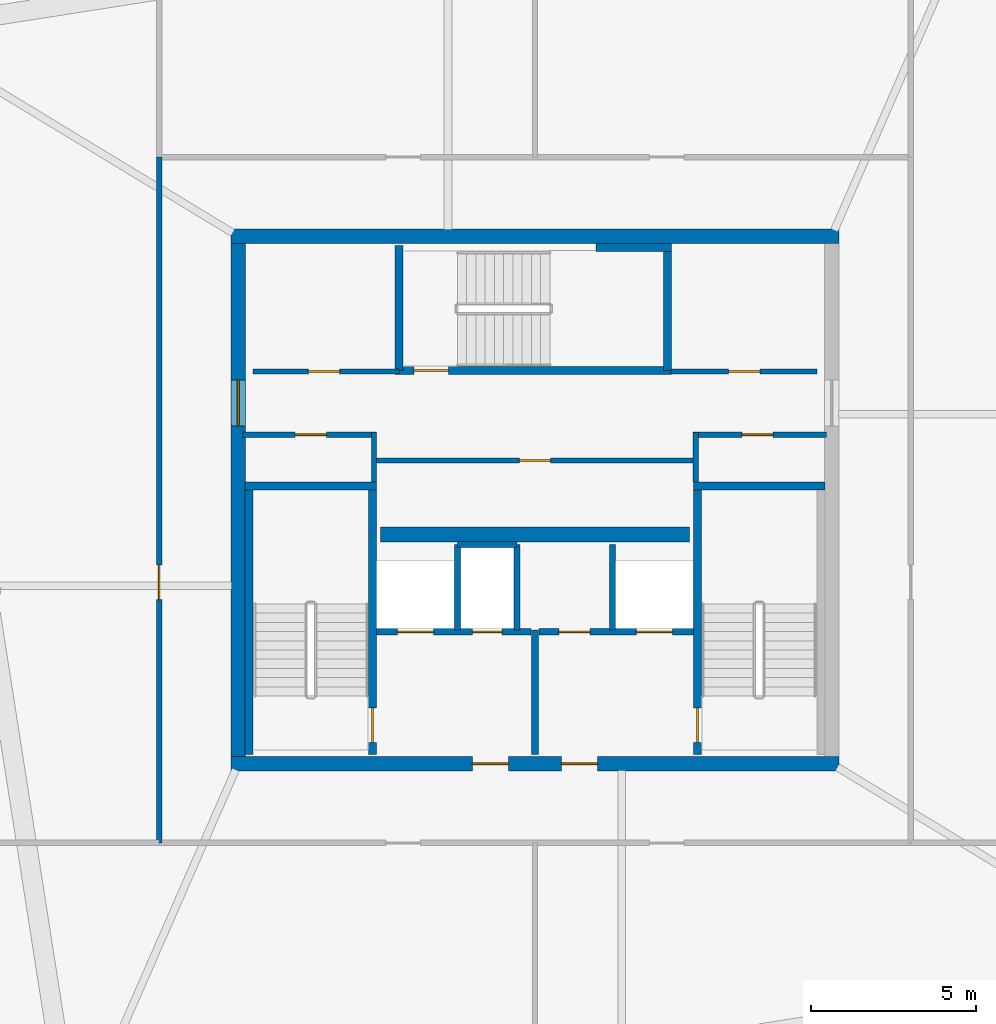
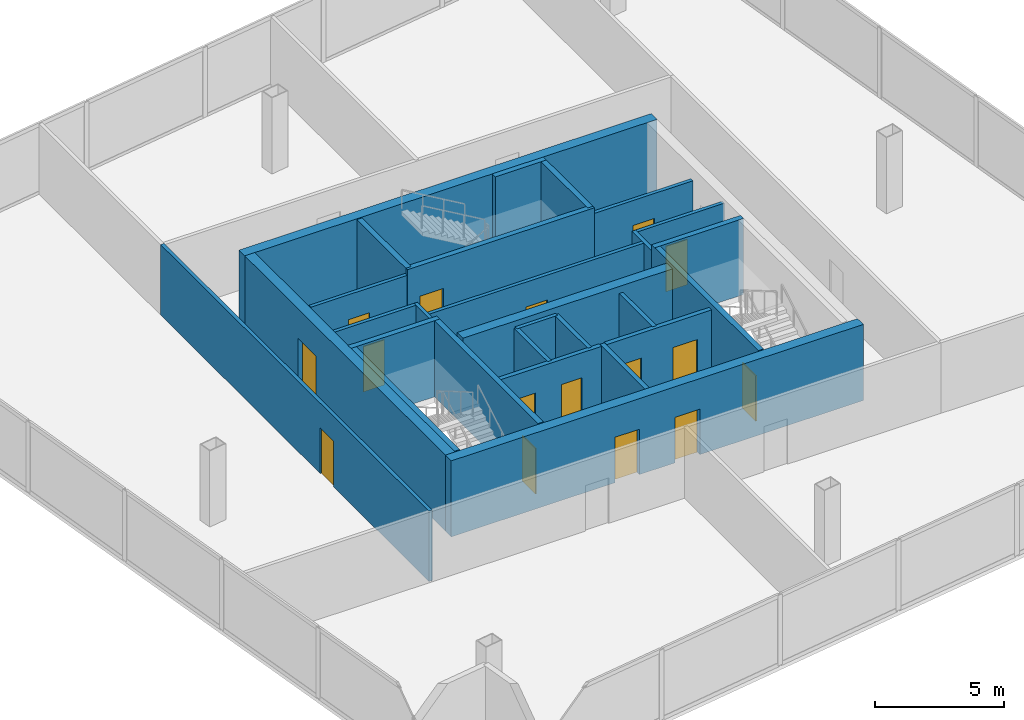
# One storey, part 15 of 17: 28 walls, 16 doors, 16 openings.
"""IFC4 building model written with IfcOpenShell, lengths in metres."""

from ifc_helpers import new_model, si_unit, direction, frame, frame_2d, origin, place, context, subcontext, project, spatial, rectangle, extrude, material, layer, layer_set, type_object, element, fill, save


model = new_model("IFC4")

# Units and contexts
model_context = context("Model", 3, precision=1e-05, world=origin(), true_north=direction((0.0, 1.0)))
body_context = subcontext(model_context, "Body", "Model", "MODEL_VIEW")
ifc_project = project(units=[si_unit("LENGTHUNIT", "METRE"), si_unit("AREAUNIT", "SQUARE_METRE"), si_unit("VOLUMEUNIT", "CUBIC_METRE"), si_unit("PLANEANGLEUNIT", "RADIAN"), si_unit("MASSUNIT", "GRAM", prefix="KILO")], contexts=[model_context])

# Site, building, storey
site_placement = place(None, origin())
site = spatial("IfcSite", under=ifc_project, at=site_placement, CompositionType="ELEMENT")
building_placement = place(site_placement, origin())
building = spatial("IfcBuilding", under=site, at=building_placement, Name="Haldenkirk Collegiate Tower", CompositionType="ELEMENT")
storey_placement = place(building_placement, frame((0.0, 0.0, 367.800048828125)))
storey = spatial("IfcBuildingStorey", under=building, at=storey_placement, Name="L93", CompositionType="ELEMENT", Elevation=367.800048828125)

# Wall, openings, doors
ifc_material_1 = material(Name="Concrete f'c 55 MPa", Category="concrete")
ifc_layer_1 = layer(ifc_material_1, 0.449951171875)
ifc_layer_set_1 = layer_set([ifc_layer_1], Name="Concrete f'c 55 MPa")
wall_type_1 = type_object("IfcWallType", Name="WL-CORE-450", PredefinedType="SHEAR", material=ifc_layer_set_1)
wall_1_placement = place(storey_placement, frame((26.77490234375, 18.0, 0.0), z_axis=(0.0, 0.0, 1.0), x_axis=(1.0, 0.0, 0.0)))
wall_1 = element("IfcWall", 1, at=wall_1_placement, inside=storey, type_object=wall_type_1, Name="L93 central core shear wall S", PredefinedType="SHEAR", context=body_context, shape_type="SweptSolid", body=[
    extrude(rectangle(XDim=18.4501953125, YDim=0.449951171875, at=frame_2d((9.22509765625, 0.0))), origin(), (0.0, 0.0, 1.0), 3.599853515625),
])
opening_1_placement = place(wall_1_placement, frame((7.324951171875, 0.0, 0.0)))
opening_1 = element("IfcOpeningElement", 2, at=opening_1_placement, cuts=wall_1, Name="Opening D-02", PredefinedType="OPENING", context=body_context, shape_type="SweptSolid", body=[
    extrude(rectangle(XDim=1.10009765625, YDim=2.14990234375, at=frame_2d((0.550048828125, 1.074951171875))), frame((0.0, 0.23486328125, 0.0), z_axis=(0.0, -1.0, 0.0), x_axis=(1.0, 0.0, 0.0)), (0.0, 0.0, 1.0), 0.469970703125),
])
opening_2_placement = place(wall_1_placement, frame((10.02490234375, 0.0, 0.0)))
opening_2 = element("IfcOpeningElement", 3, at=opening_2_placement, cuts=wall_1, Name="Opening D-02", PredefinedType="OPENING", context=body_context, shape_type="SweptSolid", body=[
    extrude(rectangle(XDim=1.10009765625, YDim=2.14990234375, at=frame_2d((0.550048828125, 1.074951171875))), frame((0.0, 0.23486328125, 0.0), z_axis=(0.0, -1.0, 0.0), x_axis=(1.0, 0.0, 0.0)), (0.0, 0.0, 1.0), 0.469970703125),
])
ifc_material_2 = material(Name="Galvanized fire-rated hollow steel door", Category="steel")
ifc_layer_2 = layer(ifc_material_2, 0.06005859375)
ifc_layer_set_2 = layer_set([ifc_layer_2], Name="Galvanized fire-rated hollow steel door")
door_type_1 = type_object("IfcDoorType", Name="DR-STAIR-FD90-1100", OperationType="NOTDEFINED", PredefinedType="DOOR", material=ifc_layer_set_2)
door_1_placement = place(opening_1_placement, origin())
door_1 = element("IfcDoor", 4, at=door_1_placement, inside=storey, type_object=door_type_1, Name="L93 Firefighting Lobby 1 door", OperationType="SINGLE_SWING_LEFT", OverallHeight=2.14990234375, OverallWidth=1.10009765625, PredefinedType="DOOR", context=body_context, shape_type="SweptSolid", body=[
    extrude(rectangle(XDim=1.10009765625, YDim=2.14990234375, at=frame_2d((0.550048828125, 1.074951171875))), frame((0.0, 0.02490234375, 0.0), z_axis=(0.0, -1.0, 0.0), x_axis=(1.0, 0.0, 0.0)), (0.0, 0.0, 1.0), 0.050048828125),
])
fill(opening_1, door_1)
door_2_placement = place(opening_2_placement, origin())
door_2 = element("IfcDoor", 5, at=door_2_placement, inside=storey, type_object=door_type_1, Name="L93 Firefighting Lobby 2 door", OperationType="SINGLE_SWING_RIGHT", OverallHeight=2.14990234375, OverallWidth=1.10009765625, PredefinedType="DOOR", context=body_context, shape_type="SweptSolid", body=[
    extrude(rectangle(XDim=1.10009765625, YDim=2.14990234375, at=frame_2d((0.550048828125, 1.074951171875))), frame((0.0, 0.02490234375, 0.0), z_axis=(0.0, -1.0, 0.0), x_axis=(1.0, 0.0, 0.0)), (0.0, 0.0, 1.0), 0.050048828125),
])
fill(opening_2, door_2)

# Wall
wall_2_placement = place(storey_placement, frame((26.77490234375, 34.0, 0.0), z_axis=(0.0, 0.0, 1.0), x_axis=(1.0, 0.0, 0.0)))
element("IfcWall", 6, at=wall_2_placement, inside=storey, type_object=wall_type_1, Name="L93 central core shear wall N", PredefinedType="SHEAR", context=body_context, shape_type="SweptSolid", body=[
    extrude(rectangle(XDim=18.4501953125, YDim=0.449951171875, at=frame_2d((9.22509765625, 0.0))), origin(), (0.0, 0.0, 1.0), 3.599853515625),
])

# Wall, opening, door
wall_3_placement = place(storey_placement, frame((27.0, 18.22509765625, 0.0), z_axis=(0.0, 0.0, 1.0), x_axis=(0.0, 1.0, 0.0)))
wall_3 = element("IfcWall", 7, at=wall_3_placement, inside=storey, type_object=wall_type_1, Name="L93 central core shear wall W", PredefinedType="SHEAR", context=body_context, shape_type="SweptSolid", body=[
    extrude(rectangle(XDim=15.5498046875, YDim=0.449951171875, at=frame_2d((7.77490234375, 0.0))), origin(), (0.0, 0.0, 1.0), 3.599853515625),
])
opening_3_placement = place(wall_3_placement, frame((10.014892578125, 0.0, 0.0)))
opening_3 = element("IfcOpeningElement", 8, at=opening_3_placement, cuts=wall_3, Name="Opening D-03", PredefinedType="OPENING", context=body_context, shape_type="SweptSolid", body=[
    extrude(rectangle(XDim=1.39990234375, YDim=2.199951171875, at=frame_2d((0.699951171875, 1.10009765625))), frame((0.0, 0.23486328125, 0.0), z_axis=(0.0, -1.0, 0.0), x_axis=(1.0, 0.0, 0.0)), (0.0, 0.0, 1.0), 0.469970703125),
])
ifc_layer_3 = layer(ifc_material_2, 0.06005859375)
ifc_layer_set_3 = layer_set([ifc_layer_3], Name="Galvanized fire-rated hollow steel door")
door_type_2 = type_object("IfcDoorType", Name="DR-LOBBY-FD90-1400", OperationType="NOTDEFINED", PredefinedType="DOOR", material=ifc_layer_set_3)
door_3_placement = place(opening_3_placement, origin())
door_3 = element("IfcDoor", 9, at=door_3_placement, inside=storey, type_object=door_type_2, Name="L93 west lift lobby portal", OperationType="DOUBLE_DOOR_SINGLE_SWING", OverallHeight=2.199951171875, OverallWidth=1.39990234375, PredefinedType="DOOR", context=body_context, shape_type="SweptSolid", body=[
    extrude(rectangle(XDim=1.39990234375, YDim=2.199951171875, at=frame_2d((0.699951171875, 1.10009765625))), frame((0.0, 0.02490234375, 0.0), z_axis=(0.0, -1.0, 0.0), x_axis=(1.0, 0.0, 0.0)), (0.0, 0.0, 1.0), 0.050048828125),
])
fill(opening_3, door_3)

# Wall
wall_4_placement = place(storey_placement, frame((31.31005859375, 24.949951171875, 0.0), z_axis=(0.0, 0.0, 1.0), x_axis=(1.0, 0.0, 0.0)))
element("IfcWall", 10, at=wall_4_placement, inside=storey, type_object=wall_type_1, Name="L93 central core spine shear wall", PredefinedType="SHEAR", context=body_context, shape_type="SweptSolid", body=[
    extrude(rectangle(XDim=9.3798828125, YDim=0.449951171875, at=frame_2d((4.68994140625, 0.0))), origin(), (0.0, 0.0, 1.0), 3.599853515625),
])

# Wall, opening, door
ifc_material_3 = material(Name="Acoustic fire-rated gypsum partition", Category="concrete")
ifc_layer_4 = layer(ifc_material_3, 0.159912109375)
ifc_layer_set_4 = layer_set([ifc_layer_4], Name="Acoustic fire-rated gypsum partition")
wall_type_2 = type_object("IfcWallType", Name="WL-INT-CORR-160", PredefinedType="PARTITIONING", material=ifc_layer_set_4)
wall_5_placement = place(storey_placement, frame((27.14990234375, 27.97998046875, 0.0), z_axis=(0.0, 0.0, 1.0), x_axis=(1.0, 0.0, 0.0)))
wall_5 = element("IfcWall", 11, at=wall_5_placement, inside=storey, type_object=wall_type_2, Name="L93 interior partition IW-L93-VCSW-N", PredefinedType="PARTITIONING", context=body_context, shape_type="SweptSolid", body=[
    extrude(rectangle(XDim=4.050048828125, YDim=0.159912109375, at=frame_2d((2.02490234375, 0.0))), origin(), (0.0, 0.0, 1.0), 3.329833984375),
])
opening_4_placement = place(wall_5_placement, frame((1.574951171875, 0.0, 0.0)))
opening_4 = element("IfcOpeningElement", 12, at=opening_4_placement, cuts=wall_5, Name="Opening D-10", PredefinedType="OPENING", context=body_context, shape_type="SweptSolid", body=[
    extrude(rectangle(XDim=0.949951171875, YDim=2.14990234375, at=frame_2d((0.47509765625, 1.074951171875))), frame((0.0, 0.08984375, 0.0), z_axis=(0.0, -1.0, 0.0), x_axis=(1.0, 0.0, 0.0)), (0.0, 0.0, 1.0), 0.179931640625),
])
ifc_material_4 = material(Name="Solid-core architectural oak fire door", Category="wood")
ifc_layer_5 = layer(ifc_material_4, 0.06005859375)
ifc_layer_set_5 = layer_set([ifc_layer_5], Name="Solid-core architectural oak fire door")
door_type_3 = type_object("IfcDoorType", Name="DR-INT-FD60-950", OperationType="NOTDEFINED", PredefinedType="DOOR", material=ifc_layer_set_5)
door_4_placement = place(opening_4_placement, origin())
door_4 = element("IfcDoor", 13, at=door_4_placement, inside=storey, type_object=door_type_3, Name="L93 core electrical door", OperationType="SINGLE_SWING_LEFT", OverallHeight=2.14990234375, OverallWidth=0.949951171875, PredefinedType="DOOR", context=body_context, shape_type="SweptSolid", body=[
    extrude(rectangle(XDim=0.949951171875, YDim=2.14990234375, at=frame_2d((0.47509765625, 1.074951171875))), frame((0.0, 0.02490234375, 0.0), z_axis=(0.0, -1.0, 0.0), x_axis=(1.0, 0.0, 0.0)), (0.0, 0.0, 1.0), 0.050048828125),
])
fill(opening_4, door_4)

# Wall
wall_6_placement = place(storey_placement, frame((31.1201171875, 26.5400390625, 0.0), z_axis=(0.0, 0.0, 1.0), x_axis=(0.0, 1.0, 0.0)))
element("IfcWall", 14, at=wall_6_placement, inside=storey, type_object=wall_type_2, Name="L93 interior partition IW-L93-VCSW-E", PredefinedType="PARTITIONING", context=body_context, shape_type="SweptSolid", body=[
    extrude(rectangle(XDim=1.510009765625, YDim=0.159912109375, at=frame_2d((0.7548828125, 0.0))), origin(), (0.0, 0.0, 1.0), 3.329833984375),
])

# Wall, opening, door
wall_7_placement = place(storey_placement, frame((40.800048828125, 27.97998046875, 0.0), z_axis=(0.0, 0.0, 1.0), x_axis=(1.0, 0.0, 0.0)))
wall_7 = element("IfcWall", 15, at=wall_7_placement, inside=storey, type_object=wall_type_2, Name="L93 interior partition IW-L93-VCSE-N", PredefinedType="PARTITIONING", context=body_context, shape_type="SweptSolid", body=[
    extrude(rectangle(XDim=4.050048828125, YDim=0.159912109375, at=frame_2d((2.02490234375, 0.0))), origin(), (0.0, 0.0, 1.0), 3.329833984375),
])
opening_5_placement = place(wall_7_placement, frame((1.47509765625, 0.0, 0.0)))
opening_5 = element("IfcOpeningElement", 16, at=opening_5_placement, cuts=wall_7, Name="Opening D-10", PredefinedType="OPENING", context=body_context, shape_type="SweptSolid", body=[
    extrude(rectangle(XDim=0.949951171875, YDim=2.14990234375, at=frame_2d((0.47509765625, 1.074951171875))), frame((0.0, 0.08984375, 0.0), z_axis=(0.0, -1.0, 0.0), x_axis=(1.0, 0.0, 0.0)), (0.0, 0.0, 1.0), 0.179931640625),
])
door_5_placement = place(opening_5_placement, origin())
door_5 = element("IfcDoor", 17, at=door_5_placement, inside=storey, type_object=door_type_3, Name="L93 core mechanical store door", OperationType="SINGLE_SWING_RIGHT", OverallHeight=2.14990234375, OverallWidth=0.949951171875, PredefinedType="DOOR", context=body_context, shape_type="SweptSolid", body=[
    extrude(rectangle(XDim=0.949951171875, YDim=2.14990234375, at=frame_2d((0.47509765625, 1.074951171875))), frame((0.0, 0.02490234375, 0.0), z_axis=(0.0, -1.0, 0.0), x_axis=(1.0, 0.0, 0.0)), (0.0, 0.0, 1.0), 0.050048828125),
])
fill(opening_5, door_5)

# Wall
wall_8_placement = place(storey_placement, frame((40.8798828125, 26.5400390625, 0.0), z_axis=(0.0, 0.0, 1.0), x_axis=(0.0, 1.0, 0.0)))
element("IfcWall", 18, at=wall_8_placement, inside=storey, type_object=wall_type_2, Name="L93 interior partition IW-L93-VCSE-W", PredefinedType="PARTITIONING", context=body_context, shape_type="SweptSolid", body=[
    extrude(rectangle(XDim=1.510009765625, YDim=0.159912109375, at=frame_2d((0.7548828125, 0.0))), origin(), (0.0, 0.0, 1.0), 3.329833984375),
])

# Wall, opening, door
wall_9_placement = place(storey_placement, frame((27.449951171875, 29.89990234375, 0.0), z_axis=(0.0, 0.0, 1.0), x_axis=(1.0, 0.0, 0.0)))
wall_9 = element("IfcWall", 19, at=wall_9_placement, inside=storey, type_object=wall_type_2, Name="L93 interior partition IW-L93-PLS", PredefinedType="PARTITIONING", context=body_context, shape_type="SweptSolid", body=[
    extrude(rectangle(XDim=4.429931640625, YDim=0.159912109375, at=frame_2d((2.21484375, 0.0))), origin(), (0.0, 0.0, 1.0), 3.329833984375),
])
opening_6_placement = place(wall_9_placement, frame((1.675048828125, 0.0, 0.0)))
opening_6 = element("IfcOpeningElement", 20, at=opening_6_placement, cuts=wall_9, Name="Opening D-10", PredefinedType="OPENING", context=body_context, shape_type="SweptSolid", body=[
    extrude(rectangle(XDim=0.949951171875, YDim=2.14990234375, at=frame_2d((0.47509765625, 1.074951171875))), frame((0.0, 0.08984375, 0.0), z_axis=(0.0, -1.0, 0.0), x_axis=(1.0, 0.0, 0.0)), (0.0, 0.0, 1.0), 0.179931640625),
])
door_6_placement = place(opening_6_placement, origin())
door_6 = element("IfcDoor", 21, at=door_6_placement, inside=storey, type_object=door_type_3, Name="L93 reclaimed plant store door", OperationType="SINGLE_SWING_LEFT", OverallHeight=2.14990234375, OverallWidth=0.949951171875, PredefinedType="DOOR", context=body_context, shape_type="SweptSolid", body=[
    extrude(rectangle(XDim=0.949951171875, YDim=2.14990234375, at=frame_2d((0.47509765625, 1.074951171875))), frame((0.0, 0.02490234375, 0.0), z_axis=(0.0, -1.0, 0.0), x_axis=(1.0, 0.0, 0.0)), (0.0, 0.0, 1.0), 0.050048828125),
])
fill(opening_6, door_6)

wall_10_placement = place(storey_placement, frame((40.1201171875, 29.89990234375, 0.0), z_axis=(0.0, 0.0, 1.0), x_axis=(1.0, 0.0, 0.0)))
wall_10 = element("IfcWall", 22, at=wall_10_placement, inside=storey, type_object=wall_type_2, Name="L93 interior partition IW-L93-PMS", PredefinedType="PARTITIONING", context=body_context, shape_type="SweptSolid", body=[
    extrude(rectangle(XDim=4.429931640625, YDim=0.159912109375, at=frame_2d((2.21484375, 0.0))), origin(), (0.0, 0.0, 1.0), 3.329833984375),
])
opening_7_placement = place(wall_10_placement, frame((1.7548828125, 0.0, 0.0)))
opening_7 = element("IfcOpeningElement", 23, at=opening_7_placement, cuts=wall_10, Name="Opening D-10", PredefinedType="OPENING", context=body_context, shape_type="SweptSolid", body=[
    extrude(rectangle(XDim=0.949951171875, YDim=2.14990234375, at=frame_2d((0.47509765625, 1.074951171875))), frame((0.0, 0.08984375, 0.0), z_axis=(0.0, -1.0, 0.0), x_axis=(1.0, 0.0, 0.0)), (0.0, 0.0, 1.0), 0.179931640625),
])
door_7_placement = place(opening_7_placement, origin())
door_7 = element("IfcDoor", 24, at=door_7_placement, inside=storey, type_object=door_type_3, Name="L93 east plant store door", OperationType="SINGLE_SWING_RIGHT", OverallHeight=2.14990234375, OverallWidth=0.949951171875, PredefinedType="DOOR", context=body_context, shape_type="SweptSolid", body=[
    extrude(rectangle(XDim=0.949951171875, YDim=2.14990234375, at=frame_2d((0.47509765625, 1.074951171875))), frame((0.0, 0.02490234375, 0.0), z_axis=(0.0, -1.0, 0.0), x_axis=(1.0, 0.0, 0.0)), (0.0, 0.0, 1.0), 0.050048828125),
])
fill(opening_7, door_7)

wall_11_placement = place(storey_placement, frame((31.199951171875, 27.199951171875, 0.0), z_axis=(0.0, 0.0, 1.0), x_axis=(1.0, 0.0, 0.0)))
wall_11 = element("IfcWall", 25, at=wall_11_placement, inside=storey, type_object=wall_type_2, Name="L93 interior partition IW-L93-PHN", PredefinedType="PARTITIONING", context=body_context, shape_type="SweptSolid", body=[
    extrude(rectangle(XDim=9.60009765625, YDim=0.159912109375, at=frame_2d((4.800048828125, 0.0))), origin(), (0.0, 0.0, 1.0), 3.329833984375),
])
opening_8_placement = place(wall_11_placement, frame((4.324951171875, 0.0, 0.0)))
opening_8 = element("IfcOpeningElement", 26, at=opening_8_placement, cuts=wall_11, Name="Opening D-10", PredefinedType="OPENING", context=body_context, shape_type="SweptSolid", body=[
    extrude(rectangle(XDim=0.949951171875, YDim=2.14990234375, at=frame_2d((0.47509765625, 1.074951171875))), frame((0.0, 0.08984375, 0.0), z_axis=(0.0, -1.0, 0.0), x_axis=(1.0, 0.0, 0.0)), (0.0, 0.0, 1.0), 0.179931640625),
])
door_8_placement = place(opening_8_placement, origin())
door_8 = element("IfcDoor", 27, at=door_8_placement, inside=storey, type_object=door_type_3, Name="L93 crown telemetry door", OperationType="SINGLE_SWING_LEFT", OverallHeight=2.14990234375, OverallWidth=0.949951171875, PredefinedType="DOOR", context=body_context, shape_type="SweptSolid", body=[
    extrude(rectangle(XDim=0.949951171875, YDim=2.14990234375, at=frame_2d((0.47509765625, 1.074951171875))), frame((0.0, 0.02490234375, 0.0), z_axis=(0.0, -1.0, 0.0), x_axis=(1.0, 0.0, 0.0)), (0.0, 0.0, 1.0), 0.050048828125),
])
fill(opening_8, door_8)

wall_12_placement = place(storey_placement, frame((24.60009765625, 15.60009765625, 0.0), z_axis=(0.0, 0.0, 1.0), x_axis=(0.0, 1.0, 0.0)))
wall_12 = element("IfcWall", 28, at=wall_12_placement, inside=storey, type_object=wall_type_2, Name="L93 interior partition IW-L93-CW", PredefinedType="PARTITIONING", context=body_context, shape_type="SweptSolid", body=[
    extrude(rectangle(XDim=20.7998046875, YDim=0.159912109375, at=frame_2d((10.39990234375, 0.0))), origin(), (0.0, 0.0, 1.0), 3.329833984375),
])
opening_9_placement = place(wall_12_placement, frame((7.375, 0.0, 0.0)))
opening_9 = element("IfcOpeningElement", 29, at=opening_9_placement, cuts=wall_12, Name="Opening D-09", PredefinedType="OPENING", context=body_context, shape_type="SweptSolid", body=[
    extrude(rectangle(XDim=1.050048828125, YDim=2.14990234375, at=frame_2d((0.52490234375, 1.074951171875))), frame((0.0, 0.08984375, 0.0), z_axis=(0.0, -1.0, 0.0), x_axis=(1.0, 0.0, 0.0)), (0.0, 0.0, 1.0), 0.179931640625),
])
ifc_layer_6 = layer(ifc_material_4, 0.06005859375)
ifc_layer_set_6 = layer_set([ifc_layer_6], Name="Solid-core architectural oak fire door")
door_type_4 = type_object("IfcDoorType", Name="DR-INT-FD60-1050", OperationType="NOTDEFINED", PredefinedType="DOOR", material=ifc_layer_set_6)
door_9_placement = place(opening_9_placement, origin())
door_9 = element("IfcDoor", 30, at=door_9_placement, inside=storey, type_object=door_type_4, Name="L93 crown W plant door", OperationType="SINGLE_SWING_RIGHT", OverallHeight=2.14990234375, OverallWidth=1.050048828125, PredefinedType="DOOR", context=body_context, shape_type="SweptSolid", body=[
    extrude(rectangle(XDim=1.050048828125, YDim=2.14990234375, at=frame_2d((0.52490234375, 1.074951171875))), frame((0.0, 0.02490234375, 0.0), z_axis=(0.0, -1.0, 0.0), x_axis=(1.0, 0.0, 0.0)), (0.0, 0.0, 1.0), 0.050048828125),
])
fill(opening_9, door_9)

# Walls
ifc_material_5 = material(Name="Fire-rated gypsum shaftboard assembly", Category="concrete")
ifc_layer_7 = layer(ifc_material_5, 0.179931640625)
ifc_layer_set_7 = layer_set([ifc_layer_7], Name="Fire-rated gypsum shaftboard assembly")
wall_type_3 = type_object("IfcWallType", Name="WL-INT-SHAFT-180", PredefinedType="PARTITIONING", material=ifc_layer_set_7)
for number, where, z_axis, x_axis, name in (
    (31, (33.64990234375, 22.050048828125, 0.0), (0.0, 0.0, 1.0), (0.0, 1.0, 0.0), "L93 interior partition IW-L93-FL1E"),
    (32, (35.449951171875, 22.050048828125, 0.0), (0.0, 0.0, 1.0), (0.0, 1.0, 0.0), "L93 interior partition IW-L93-GL1W"),
):
    element("IfcWall", number, at=place(storey_placement, frame(where, z_axis=z_axis, x_axis=x_axis)), inside=storey, type_object=wall_type_3, Name=name, PredefinedType="PARTITIONING", context=body_context, shape_type="SweptSolid", body=[
        extrude(rectangle(XDim=2.599853515625, YDim=0.179931640625, at=frame_2d((1.2998046875, 0.0))), origin(), (0.0, 0.0, 1.0), 3.329833984375),
    ])
wall_13_placement = place(storey_placement, frame((33.64990234375, 24.64990234375, 0.0), z_axis=(0.0, 0.0, 1.0), x_axis=(1.0, 0.0, 0.0)))
element("IfcWall", 33, at=wall_13_placement, inside=storey, type_object=wall_type_3, Name="L93 interior partition IW-L93-RSRN", PredefinedType="PARTITIONING", context=body_context, shape_type="SweptSolid", body=[
    extrude(rectangle(XDim=1.800048828125, YDim=0.179931640625, at=frame_2d((0.89990234375, 0.0))), origin(), (0.0, 0.0, 1.0), 3.329833984375),
])
wall_14_placement = place(storey_placement, frame((38.35009765625, 22.050048828125, 0.0), z_axis=(0.0, 0.0, 1.0), x_axis=(0.0, 1.0, 0.0)))
element("IfcWall", 34, at=wall_14_placement, inside=storey, type_object=wall_type_3, Name="L93 interior partition IW-L93-GL1E", PredefinedType="PARTITIONING", context=body_context, shape_type="SweptSolid", body=[
    extrude(rectangle(XDim=2.599853515625, YDim=0.179931640625, at=frame_2d((1.2998046875, 0.0))), origin(), (0.0, 0.0, 1.0), 3.329833984375),
])
ifc_layer_8 = layer(ifc_material_5, 0.199951171875)
ifc_layer_set_8 = layer_set([ifc_layer_8], Name="Fire-rated gypsum shaftboard assembly")
wall_type_4 = type_object("IfcWallType", Name="WL-INT-SHAFT-200", PredefinedType="PARTITIONING", material=ifc_layer_set_8)
wall_15_placement = place(storey_placement, frame((36.0, 18.280029296875, 0.0), z_axis=(0.0, 0.0, 1.0), x_axis=(0.0, 1.0, 0.0)))
element("IfcWall", 35, at=wall_15_placement, inside=storey, type_object=wall_type_4, Name="L93 interior partition IW-L93-FFLM", PredefinedType="PARTITIONING", context=body_context, shape_type="SweptSolid", body=[
    extrude(rectangle(XDim=3.77001953125, YDim=0.199951171875, at=frame_2d((1.885009765625, 0.0))), origin(), (0.0, 0.0, 1.0), 3.329833984375),
])

# Wall, openings, doors
wall_16_placement = place(storey_placement, frame((31.18994140625, 22.0, 0.0), z_axis=(0.0, 0.0, 1.0), x_axis=(1.0, 0.0, 0.0)))
wall_16 = element("IfcWall", 36, at=wall_16_placement, inside=storey, type_object=wall_type_4, Name="L93 interior partition IW-L93-FFL1N", PredefinedType="PARTITIONING", context=body_context, shape_type="SweptSolid", body=[
    extrude(rectangle(XDim=4.68994140625, YDim=0.199951171875, at=frame_2d((2.344970703125, 0.0))), origin(), (0.0, 0.0, 1.0), 3.329833984375),
])
opening_10_placement = place(wall_16_placement, frame((2.909912109375, 0.0, 0.0)))
opening_10 = element("IfcOpeningElement", 37, at=opening_10_placement, cuts=wall_16, Name="Opening D-06", PredefinedType="OPENING", context=body_context, shape_type="SweptSolid", body=[
    extrude(rectangle(XDim=0.89990234375, YDim=2.14990234375, at=frame_2d((0.449951171875, 1.074951171875))), frame((0.0, 0.10986328125, 0.0), z_axis=(0.0, -1.0, 0.0), x_axis=(1.0, 0.0, 0.0)), (0.0, 0.0, 1.0), 0.219970703125),
])
opening_11_placement = place(wall_16_placement, frame((0.635009765625, 0.0, 0.0)))
opening_11 = element("IfcOpeningElement", 38, at=opening_11_placement, cuts=wall_16, Name="Opening LD-12", PredefinedType="OPENING", context=body_context, shape_type="SweptSolid", body=[
    extrude(rectangle(XDim=1.10009765625, YDim=2.14990234375, at=frame_2d((0.550048828125, 1.074951171875))), frame((0.0, 0.10986328125, 0.0), z_axis=(0.0, -1.0, 0.0), x_axis=(1.0, 0.0, 0.0)), (0.0, 0.0, 1.0), 0.219970703125),
])
ifc_layer_9 = layer(ifc_material_2, 0.06005859375)
ifc_layer_set_9 = layer_set([ifc_layer_9], Name="Galvanized fire-rated hollow steel door")
door_type_5 = type_object("IfcDoorType", Name="DR-INT-FD90-900", OperationType="NOTDEFINED", PredefinedType="DOOR", material=ifc_layer_set_9)
door_10_placement = place(opening_10_placement, origin())
door_10 = element("IfcDoor", 39, at=door_10_placement, inside=storey, type_object=door_type_5, Name="L93 electrical riser door", OperationType="SINGLE_SWING_LEFT", OverallHeight=2.14990234375, OverallWidth=0.89990234375, PredefinedType="DOOR", context=body_context, shape_type="SweptSolid", body=[
    extrude(rectangle(XDim=0.89990234375, YDim=2.14990234375, at=frame_2d((0.449951171875, 1.074951171875))), frame((0.0, 0.02490234375, 0.0), z_axis=(0.0, -1.0, 0.0), x_axis=(1.0, 0.0, 0.0)), (0.0, 0.0, 1.0), 0.050048828125),
])
fill(opening_10, door_10)
ifc_material_6 = material(Name="Brushed architectural stainless steel", Category="steel")
ifc_layer_10 = layer(ifc_material_6, 0.06005859375)
ifc_layer_set_10 = layer_set([ifc_layer_10], Name="Brushed architectural stainless steel")
door_type_6 = type_object("IfcDoorType", Name="LD-FIRE-1100", OperationType="NOTDEFINED", PredefinedType="DOOR", material=ifc_layer_set_10)
door_11_placement = place(opening_11_placement, origin())
door_11 = element("IfcDoor", 40, at=door_11_placement, inside=storey, type_object=door_type_6, Name="L93 Elevator FL1 sliding landing door", OperationType="SLIDING_TO_LEFT", OverallHeight=2.14990234375, OverallWidth=1.10009765625, PredefinedType="DOOR", context=body_context, shape_type="SweptSolid", body=[
    extrude(rectangle(XDim=1.10009765625, YDim=2.14990234375, at=frame_2d((0.550048828125, 1.074951171875))), frame((0.0, 0.02490234375, 0.0), z_axis=(0.0, -1.0, 0.0), x_axis=(1.0, 0.0, 0.0)), (0.0, 0.0, 1.0), 0.050048828125),
])
fill(opening_11, door_11)

wall_17_placement = place(storey_placement, frame((36.1201171875, 22.0, 0.0), z_axis=(0.0, 0.0, 1.0), x_axis=(1.0, 0.0, 0.0)))
wall_17 = element("IfcWall", 41, at=wall_17_placement, inside=storey, type_object=wall_type_4, Name="L93 interior partition IW-L93-FFL2N", PredefinedType="PARTITIONING", context=body_context, shape_type="SweptSolid", body=[
    extrude(rectangle(XDim=4.68994140625, YDim=0.199951171875, at=frame_2d((2.344970703125, 0.0))), origin(), (0.0, 0.0, 1.0), 3.329833984375),
])
opening_12_placement = place(wall_17_placement, frame((0.60498046875, 0.0, 0.0)))
opening_12 = element("IfcOpeningElement", 42, at=opening_12_placement, cuts=wall_17, Name="Opening D-05", PredefinedType="OPENING", context=body_context, shape_type="SweptSolid", body=[
    extrude(rectangle(XDim=0.949951171875, YDim=2.14990234375, at=frame_2d((0.47509765625, 1.074951171875))), frame((0.0, 0.10986328125, 0.0), z_axis=(0.0, -1.0, 0.0), x_axis=(1.0, 0.0, 0.0)), (0.0, 0.0, 1.0), 0.219970703125),
])
opening_13_placement = place(wall_17_placement, frame((2.955078125, 0.0, 0.0)))
opening_13 = element("IfcOpeningElement", 43, at=opening_13_placement, cuts=wall_17, Name="Opening LD-12", PredefinedType="OPENING", context=body_context, shape_type="SweptSolid", body=[
    extrude(rectangle(XDim=1.10009765625, YDim=2.14990234375, at=frame_2d((0.550048828125, 1.074951171875))), frame((0.0, 0.10986328125, 0.0), z_axis=(0.0, -1.0, 0.0), x_axis=(1.0, 0.0, 0.0)), (0.0, 0.0, 1.0), 0.219970703125),
])
ifc_layer_11 = layer(ifc_material_2, 0.06005859375)
ifc_layer_set_11 = layer_set([ifc_layer_11], Name="Galvanized fire-rated hollow steel door")
door_type_7 = type_object("IfcDoorType", Name="DR-INT-FD90-950", OperationType="NOTDEFINED", PredefinedType="DOOR", material=ifc_layer_set_11)
door_12_placement = place(opening_12_placement, origin())
door_12 = element("IfcDoor", 44, at=door_12_placement, inside=storey, type_object=door_type_7, Name="L93 Crown Controls Plant Room door", OperationType="SINGLE_SWING_RIGHT", OverallHeight=2.14990234375, OverallWidth=0.949951171875, PredefinedType="DOOR", context=body_context, shape_type="SweptSolid", body=[
    extrude(rectangle(XDim=0.949951171875, YDim=2.14990234375, at=frame_2d((0.47509765625, 1.074951171875))), frame((0.0, 0.02490234375, 0.0), z_axis=(0.0, -1.0, 0.0), x_axis=(1.0, 0.0, 0.0)), (0.0, 0.0, 1.0), 0.050048828125),
])
fill(opening_12, door_12)
door_13_placement = place(opening_13_placement, origin())
door_13 = element("IfcDoor", 45, at=door_13_placement, inside=storey, type_object=door_type_6, Name="L93 Elevator FL2 sliding landing door", OperationType="SLIDING_TO_LEFT", OverallHeight=2.14990234375, OverallWidth=1.10009765625, PredefinedType="DOOR", context=body_context, shape_type="SweptSolid", body=[
    extrude(rectangle(XDim=1.10009765625, YDim=2.14990234375, at=frame_2d((0.550048828125, 1.074951171875))), frame((0.0, 0.02490234375, 0.0), z_axis=(0.0, -1.0, 0.0), x_axis=(1.0, 0.0, 0.0)), (0.0, 0.0, 1.0), 0.050048828125),
])
fill(opening_13, door_13)

# Wall, opening, door
ifc_layer_12 = layer(ifc_material_1, 0.239990234375)
ifc_layer_set_12 = layer_set([ifc_layer_12], Name="Concrete f'c 55 MPa")
wall_type_5 = type_object("IfcWallType", Name="WL-SHAFT-240", PredefinedType="SHEAR", material=ifc_layer_set_12)
wall_18_placement = place(storey_placement, frame((31.070068359375, 18.280029296875, 0.0), z_axis=(0.0, 0.0, 1.0), x_axis=(0.0, 1.0, 0.0)))
wall_18 = element("IfcWall", 46, at=wall_18_placement, inside=storey, type_object=wall_type_5, Name="L93 stair shaft shear wall SW-L93-ST1E", PredefinedType="SHEAR", context=body_context, shape_type="SweptSolid", body=[
    extrude(rectangle(XDim=8.260009765625, YDim=0.239990234375, at=frame_2d((4.1298828125, 0.0))), origin(), (0.0, 0.0, 1.0), 3.599853515625),
])
opening_14_placement = place(wall_18_placement, frame((0.364990234375, 0.0, 0.0)))
opening_14 = element("IfcOpeningElement", 47, at=opening_14_placement, cuts=wall_18, Name="Opening D-01", PredefinedType="OPENING", context=body_context, shape_type="SweptSolid", body=[
    extrude(rectangle(XDim=1.050048828125, YDim=2.14990234375, at=frame_2d((0.52490234375, 1.074951171875))), frame((0.0, 0.1298828125, 0.0), z_axis=(0.0, -1.0, 0.0), x_axis=(1.0, 0.0, 0.0)), (0.0, 0.0, 1.0), 0.260009765625),
])
ifc_layer_13 = layer(ifc_material_2, 0.06005859375)
ifc_layer_set_13 = layer_set([ifc_layer_13], Name="Galvanized fire-rated hollow steel door")
door_type_8 = type_object("IfcDoorType", Name="DR-STAIR-FD90-1050", OperationType="NOTDEFINED", PredefinedType="DOOR", material=ifc_layer_set_13)
door_14_placement = place(opening_14_placement, origin())
door_14 = element("IfcDoor", 48, at=door_14_placement, inside=storey, type_object=door_type_8, Name="L93 Stair 1 door", OperationType="SINGLE_SWING_LEFT", OverallHeight=2.14990234375, OverallWidth=1.050048828125, PredefinedType="DOOR", context=body_context, shape_type="SweptSolid", body=[
    extrude(rectangle(XDim=1.050048828125, YDim=2.14990234375, at=frame_2d((0.52490234375, 1.074951171875))), frame((0.0, 0.02490234375, 0.0), z_axis=(0.0, -1.0, 0.0), x_axis=(1.0, 0.0, 0.0)), (0.0, 0.0, 1.0), 0.050048828125),
])
fill(opening_14, door_14)

# Walls
wall_19_placement = place(storey_placement, frame((27.2099609375, 26.419921875, 0.0), z_axis=(0.0, 0.0, 1.0), x_axis=(1.0, 0.0, 0.0)))
element("IfcWall", 49, at=wall_19_placement, inside=storey, type_object=wall_type_5, Name="L93 stair shaft shear wall SW-L93-ST1N", PredefinedType="SHEAR", context=body_context, shape_type="SweptSolid", body=[
    extrude(rectangle(XDim=3.97998046875, YDim=0.239990234375, at=frame_2d((1.989990234375, 0.0))), origin(), (0.0, 0.0, 1.0), 3.599853515625),
])
wall_20_placement = place(storey_placement, frame((27.330078125, 18.280029296875, 0.0), z_axis=(0.0, 0.0, 1.0), x_axis=(0.0, 1.0, 0.0)))
element("IfcWall", 50, at=wall_20_placement, inside=storey, type_object=wall_type_5, Name="L93 stair shaft shear wall SW-L93-ST1W", PredefinedType="SHEAR", context=body_context, shape_type="SweptSolid", body=[
    extrude(rectangle(XDim=8.260009765625, YDim=0.239990234375, at=frame_2d((4.1298828125, 0.0))), origin(), (0.0, 0.0, 1.0), 3.599853515625),
])

# Wall, opening, door
wall_21_placement = place(storey_placement, frame((40.929931640625, 18.280029296875, 0.0), z_axis=(0.0, 0.0, 1.0), x_axis=(0.0, 1.0, 0.0)))
wall_21 = element("IfcWall", 51, at=wall_21_placement, inside=storey, type_object=wall_type_5, Name="L93 stair shaft shear wall SW-L93-ST2W", PredefinedType="SHEAR", context=body_context, shape_type="SweptSolid", body=[
    extrude(rectangle(XDim=8.260009765625, YDim=0.239990234375, at=frame_2d((4.1298828125, 0.0))), origin(), (0.0, 0.0, 1.0), 3.599853515625),
])
opening_15_placement = place(wall_21_placement, frame((0.364990234375, 0.0, 0.0)))
opening_15 = element("IfcOpeningElement", 52, at=opening_15_placement, cuts=wall_21, Name="Opening D-01", PredefinedType="OPENING", context=body_context, shape_type="SweptSolid", body=[
    extrude(rectangle(XDim=1.050048828125, YDim=2.14990234375, at=frame_2d((0.52490234375, 1.074951171875))), frame((0.0, 0.1298828125, 0.0), z_axis=(0.0, -1.0, 0.0), x_axis=(1.0, 0.0, 0.0)), (0.0, 0.0, 1.0), 0.260009765625),
])
door_15_placement = place(opening_15_placement, origin())
door_15 = element("IfcDoor", 53, at=door_15_placement, inside=storey, type_object=door_type_8, Name="L93 Stair 2 door", OperationType="SINGLE_SWING_RIGHT", OverallHeight=2.14990234375, OverallWidth=1.050048828125, PredefinedType="DOOR", context=body_context, shape_type="SweptSolid", body=[
    extrude(rectangle(XDim=1.050048828125, YDim=2.14990234375, at=frame_2d((0.52490234375, 1.074951171875))), frame((0.0, 0.02490234375, 0.0), z_axis=(0.0, -1.0, 0.0), x_axis=(1.0, 0.0, 0.0)), (0.0, 0.0, 1.0), 0.050048828125),
])
fill(opening_15, door_15)

# Wall
wall_22_placement = place(storey_placement, frame((40.81005859375, 26.419921875, 0.0), z_axis=(0.0, 0.0, 1.0), x_axis=(1.0, 0.0, 0.0)))
element("IfcWall", 54, at=wall_22_placement, inside=storey, type_object=wall_type_5, Name="L93 stair shaft shear wall SW-L93-ST2N", PredefinedType="SHEAR", context=body_context, shape_type="SweptSolid", body=[
    extrude(rectangle(XDim=3.97998046875, YDim=0.239990234375, at=frame_2d((1.989990234375, 0.0))), origin(), (0.0, 0.0, 1.0), 3.599853515625),
])

# Wall, opening, door
wall_23_placement = place(storey_placement, frame((31.760009765625, 29.929931640625, 0.0), z_axis=(0.0, 0.0, 1.0), x_axis=(1.0, 0.0, 0.0)))
wall_23 = element("IfcWall", 55, at=wall_23_placement, inside=storey, type_object=wall_type_5, Name="L93 stair shaft shear wall SW-L93-ST3S", PredefinedType="SHEAR", context=body_context, shape_type="SweptSolid", body=[
    extrude(rectangle(XDim=8.3798828125, YDim=0.239990234375, at=frame_2d((4.18994140625, 0.0))), origin(), (0.0, 0.0, 1.0), 3.599853515625),
])
opening_16_placement = place(wall_23_placement, frame((0.56494140625, 0.0, 0.0)))
opening_16 = element("IfcOpeningElement", 56, at=opening_16_placement, cuts=wall_23, Name="Opening D-01", PredefinedType="OPENING", context=body_context, shape_type="SweptSolid", body=[
    extrude(rectangle(XDim=1.050048828125, YDim=2.14990234375, at=frame_2d((0.52490234375, 1.074951171875))), frame((0.0, 0.1298828125, 0.0), z_axis=(0.0, -1.0, 0.0), x_axis=(1.0, 0.0, 0.0)), (0.0, 0.0, 1.0), 0.260009765625),
])
door_16_placement = place(opening_16_placement, origin())
door_16 = element("IfcDoor", 57, at=door_16_placement, inside=storey, type_object=door_type_8, Name="L93 lift lobby Stair 3 door", OperationType="SINGLE_SWING_RIGHT", OverallHeight=2.14990234375, OverallWidth=1.050048828125, PredefinedType="DOOR", context=body_context, shape_type="SweptSolid", body=[
    extrude(rectangle(XDim=1.050048828125, YDim=2.14990234375, at=frame_2d((0.52490234375, 1.074951171875))), frame((0.0, 0.02490234375, 0.0), z_axis=(0.0, -1.0, 0.0), x_axis=(1.0, 0.0, 0.0)), (0.0, 0.0, 1.0), 0.050048828125),
])
fill(opening_16, door_16)

# Walls
wall_24_placement = place(storey_placement, frame((31.8798828125, 29.929931640625, 0.0), z_axis=(0.0, 0.0, 1.0), x_axis=(0.0, 1.0, 0.0)))
element("IfcWall", 58, at=wall_24_placement, inside=storey, type_object=wall_type_5, Name="L93 stair shaft shear wall SW-L93-ST3W", PredefinedType="SHEAR", context=body_context, shape_type="SweptSolid", body=[
    extrude(rectangle(XDim=3.7900390625, YDim=0.239990234375, at=frame_2d((1.89501953125, 0.0))), origin(), (0.0, 0.0, 1.0), 3.599853515625),
])
wall_25_placement = place(storey_placement, frame((40.02001953125, 29.929931640625, 0.0), z_axis=(0.0, 0.0, 1.0), x_axis=(0.0, 1.0, 0.0)))
element("IfcWall", 59, at=wall_25_placement, inside=storey, type_object=wall_type_5, Name="L93 stair shaft shear wall SW-L93-ST3E", PredefinedType="SHEAR", context=body_context, shape_type="SweptSolid", body=[
    extrude(rectangle(XDim=3.85009765625, YDim=0.239990234375, at=frame_2d((1.925048828125, 0.0))), origin(), (0.0, 0.0, 1.0), 3.599853515625),
])
wall_26_placement = place(storey_placement, frame((37.85009765625, 33.659912109375, 0.0), z_axis=(0.0, 0.0, 1.0), x_axis=(1.0, 0.0, 0.0)))
element("IfcWall", 60, at=wall_26_placement, inside=storey, type_object=wall_type_5, Name="L93 stair shaft shear wall SW-L93-ST3N", PredefinedType="SHEAR", context=body_context, shape_type="SweptSolid", body=[
    extrude(rectangle(XDim=2.289794921875, YDim=0.239990234375, at=frame_2d((1.14501953125, 0.0))), origin(), (0.0, 0.0, 1.0), 3.599853515625),
])

save(model, "model.ifc")
